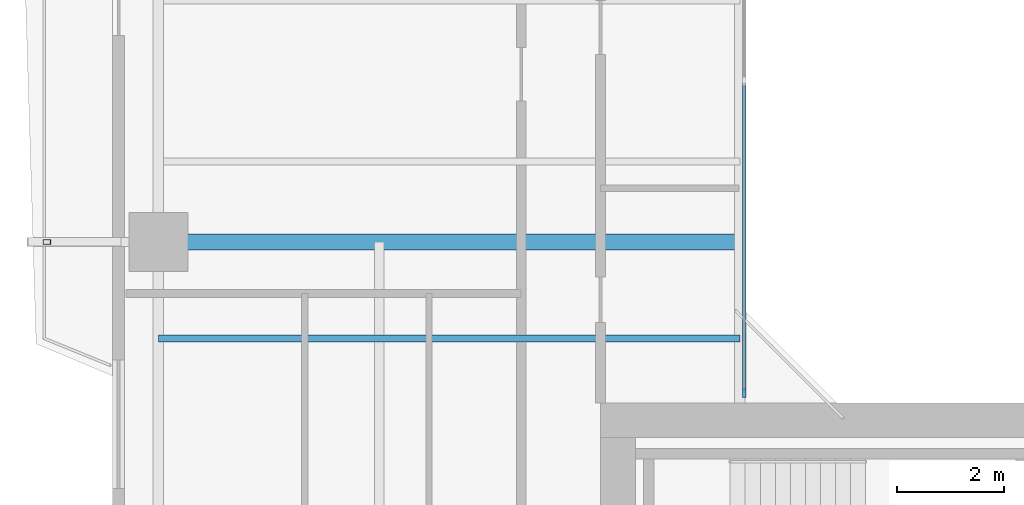
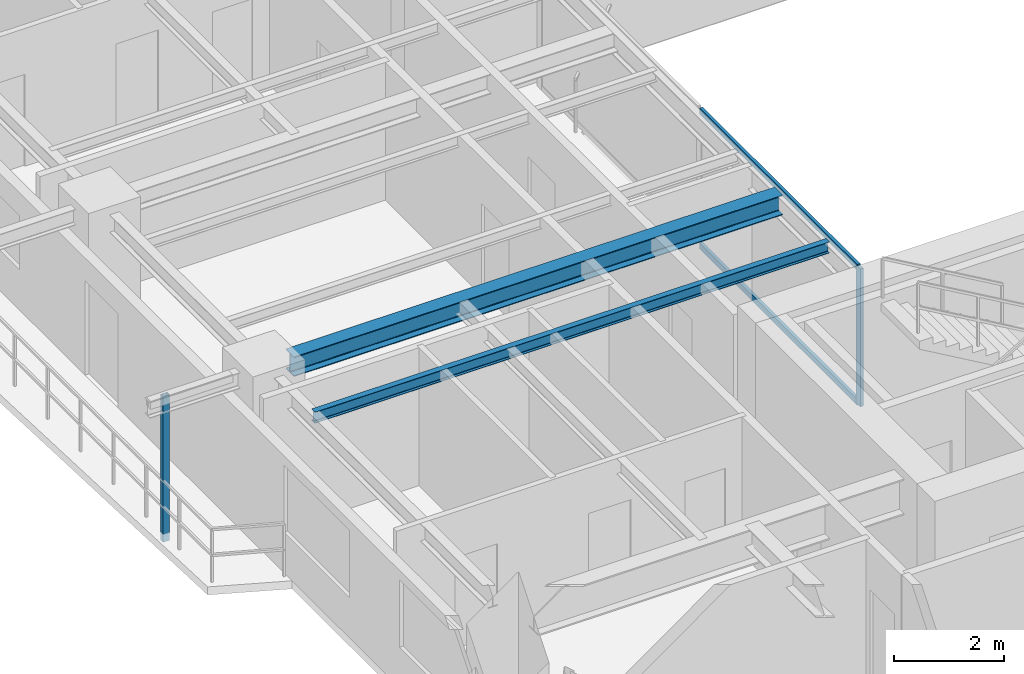
# One storey, part 3 of 17: 4 members, 2 beams, 1 element without a shape of its own.
"""IFC4 building model written with IfcOpenShell, lengths in metres."""

from ifc_helpers import new_model, si_unit, direction, frame, origin, origin_2d, place, context, subcontext, project, spatial, rectangle, hollow_rectangle, i_section, extrude, source, transform, mapped, material, layer, layer_set, material_profile, profile_set, type_object, element, aggregate, save


model = new_model("IFC4")

# Units and contexts
model_context = context("Model", 3, precision=1e-05, world=origin(), true_north=direction((0.0, 1.0)))
body_context = subcontext(model_context, "Body", "Model", "MODEL_VIEW")
ifc_project = project(units=[si_unit("LENGTHUNIT", "METRE"), si_unit("AREAUNIT", "SQUARE_METRE"), si_unit("VOLUMEUNIT", "CUBIC_METRE"), si_unit("PLANEANGLEUNIT", "RADIAN"), si_unit("MASSUNIT", "GRAM", prefix="KILO"), si_unit("THERMODYNAMICTEMPERATUREUNIT", "KELVIN"), si_unit("POWERUNIT", "WATT")], contexts=[model_context])

# Site, building, storey
site_placement = place(None, origin())
site = spatial("IfcSite", under=ifc_project, at=site_placement, CompositionType="ELEMENT")
building_placement = place(site_placement, origin())
building = spatial("IfcBuilding", under=site, at=building_placement, Name="Qiaomeng Ring Towers", CompositionType="ELEMENT")
storey_placement = place(building_placement, frame((0.0, 0.0, 126.25)))
storey = spatial("IfcBuildingStorey", under=building, at=storey_placement, Name="L36", CompositionType="ELEMENT", Elevation=126.25)

# Beams
ifc_material_1 = material(Name="Steel Q355B", Category="steel")
ifc_material_profile_1 = material_profile(ifc_material_1, i_section(OverallWidth=0.300048828125, OverallDepth=0.43994140625, WebThickness=0.010986328125, FlangeThickness=0.01806640625, FilletRadius=0.02392578125, at=origin_2d()), Name="HM 440x300x11x18")
ifc_profile_set_1 = profile_set([ifc_material_profile_1], Name="Steel Q355B")
beam_type_1 = type_object("IfcBeamType", Name="STR-BM-HM440", PredefinedType="BEAM", material=ifc_profile_set_1)
shared_shape_1 = source(origin(), body_context, "Body", "SweptSolid", [
    extrude(i_section(OverallWidth=0.300048828125, OverallDepth=0.43994140625, WebThickness=0.010986328125, FlangeThickness=0.01806640625, FilletRadius=0.02392578125, at=origin_2d()), origin(), (0.0, 0.0, 1.0), 10.301025390625),
])
beam_1_placement = place(storey_placement, frame((2.4990234375, 20.0, 2.85009765625), z_axis=(1.0, 0.0, 0.0), x_axis=(0.0, 1.0, 0.0)))
element("IfcBeam", 1, at=beam_1_placement, inside=storey, type_object=beam_type_1, Name="L36 beam STR-BM-L36-T1-RAD-W2", PredefinedType="BEAM", context=body_context, shape_type="MappedRepresentation", body=[
    mapped(shared_shape_1, transform((0.0, 0.0, 0.0), x_axis=(1.0, 0.0, 0.0), y_axis=(0.0, 1.0, 0.0), z_axis=(0.0, 0.0, 1.0), scale=1.0)),
])
ifc_material_profile_2 = material_profile(ifc_material_1, i_section(OverallWidth=0.125, OverallDepth=0.25, WebThickness=0.006103515625, FlangeThickness=0.009033203125, FilletRadius=0.011962890625, at=origin_2d()), Name="HN 250x125x6x9")
ifc_profile_set_2 = profile_set([ifc_material_profile_2], Name="Steel Q355B")
beam_type_2 = type_object("IfcBeamType", Name="STR-BM-HN250", PredefinedType="JOIST", material=ifc_profile_set_2)
shared_shape_2 = source(origin(), body_context, "Body", "SweptSolid", [
    extrude(i_section(OverallWidth=0.125, OverallDepth=0.25, WebThickness=0.006103515625, FlangeThickness=0.009033203125, FilletRadius=0.011962890625, at=origin_2d()), origin(), (0.0, 0.0, 1.0), 10.85009765625),
])
beam_2_placement = place(storey_placement, frame((1.949951171875, 18.199951171875, 2.945068359375), z_axis=(1.0, 0.0, 0.0), x_axis=(0.0, 1.0, 0.0)))
element("IfcBeam", 2, at=beam_2_placement, inside=storey, type_object=beam_type_2, Name="L36 beam STR-JST-L36-T1W-1", PredefinedType="JOIST", context=body_context, shape_type="MappedRepresentation", body=[
    mapped(shared_shape_2, transform((0.0, 0.0, 0.0), x_axis=(1.0, 0.0, 0.0), y_axis=(0.0, 1.0, 0.0), z_axis=(0.0, 0.0, 1.0), scale=1.0)),
])

# Curtain wall, members
ifc_material_2 = material(Name="Fluorocarbon dark-grey aluminium", Category="aluminium")
ifc_layer = layer(ifc_material_2, 0.139892578125, Name="Fluorocarbon dark-grey aluminium")
ifc_layer_set = layer_set([ifc_layer], Name="Fluorocarbon dark-grey aluminium")
curtain_wall_type = type_object("IfcCurtainWallType", Name="ARC-CW-4", PredefinedType="NOTDEFINED", material=ifc_layer_set)
curtain_wall_placement = place(storey_placement, origin())
curtain_wall = element("IfcCurtainWall", 3, at=curtain_wall_placement, inside=storey, type_object=curtain_wall_type, Name="L36 Curtain Wall CW4", PredefinedType="NOTDEFINED")
ifc_material_profile_3 = material_profile(ifc_material_2, rectangle(XDim=0.06494140625, YDim=0.159912109375, at=origin_2d()), Name="ALU MULL 65x160")
ifc_profile_set_3 = profile_set([ifc_material_profile_3], Name="Fluorocarbon dark-grey aluminium")
member_type_1 = type_object("IfcMemberType", Name="ARC-CWM-140", PredefinedType="MULLION", material=ifc_profile_set_3)
shared_shape_3 = source(origin(), body_context, "Body", "SweptSolid", [
    extrude(rectangle(XDim=0.06494140625, YDim=0.159912109375, at=origin_2d()), origin(), (0.0, 0.0, 1.0), 3.070068359375),
])
member_1_placement = place(storey_placement, frame((12.8798828125, 17.1826171875, 0.0), z_axis=(0.0, 0.0, 1.0), x_axis=(-1.0, 0.0, 0.0)))
member_1 = element("IfcMember", 4, at=member_1_placement, type_object=member_type_1, Name="CW4 mullion 1", PredefinedType="MULLION", context=body_context, shape_type="MappedRepresentation", body=[
    mapped(shared_shape_3, transform((0.0, 0.0, 0.0), x_axis=(1.0, 0.0, 0.0), y_axis=(0.0, 1.0, 0.0), z_axis=(0.0, 0.0, 1.0), scale=1.0)),
])
ifc_material_profile_4 = material_profile(ifc_material_2, rectangle(XDim=0.06494140625, YDim=0.1298828125, at=origin_2d()), Name="ALU TRAN 65x130")
ifc_profile_set_4 = profile_set([ifc_material_profile_4], Name="Fluorocarbon dark-grey aluminium")
member_type_2 = type_object("IfcMemberType", Name="ARC-CWT-120", PredefinedType="USERDEFINED", material=ifc_profile_set_4)
shared_shape_4 = source(origin(), body_context, "Body", "SweptSolid", [
    extrude(rectangle(XDim=0.06494140625, YDim=0.1298828125, at=origin_2d()), origin(), (0.0, 0.0, 1.0), 5.75244140625),
])
member_2_placement = place(storey_placement, frame((12.8798828125, 17.215087890625, 0.032470703125), z_axis=(0.0, 1.0, 0.0), x_axis=(-1.0, 0.0, 0.0)))
member_2 = element("IfcMember", 5, at=member_2_placement, type_object=member_type_2, Name="CW4 transom 1.1", ObjectType="TRANSOM", PredefinedType="USERDEFINED", context=body_context, shape_type="MappedRepresentation", body=[
    mapped(shared_shape_4, transform((0.0, 0.0, 0.0), x_axis=(1.0, 0.0, 0.0), y_axis=(0.0, 1.0, 0.0), z_axis=(0.0, 0.0, 1.0), scale=1.0)),
])
member_3_placement = place(storey_placement, frame((12.8798828125, 17.215087890625, 3.03759765625), z_axis=(0.0, 1.0, 0.0), x_axis=(-1.0, 0.0, 0.0)))
member_3 = element("IfcMember", 6, at=member_3_placement, type_object=member_type_2, Name="CW4 transom 1.2", ObjectType="TRANSOM", PredefinedType="USERDEFINED", context=body_context, shape_type="MappedRepresentation", body=[
    mapped(shared_shape_4, transform((0.0, 0.0, 0.0), x_axis=(1.0, 0.0, 0.0), y_axis=(0.0, 1.0, 0.0), z_axis=(0.0, 0.0, 1.0), scale=1.0)),
])
aggregate(curtain_wall, [member_1, member_2, member_3])

# Member
ifc_material_3 = material(Name="Stainless steel 316", Category="steel")
ifc_material_profile_5 = material_profile(ifc_material_3, hollow_rectangle(XDim=0.090087890625, YDim=0.139892578125, WallThickness=0.0048828125, at=origin_2d()), Name="SS TRELLIS 90x140")
ifc_profile_set_5 = profile_set([ifc_material_profile_5], Name="Stainless steel 316")
member_type_3 = type_object("IfcMemberType", Name="ARC-TR-POST1", PredefinedType="STUD", material=ifc_profile_set_5)
shared_shape_5 = source(origin(), body_context, "Body", "SweptSolid", [
    extrude(hollow_rectangle(XDim=0.090087890625, YDim=0.139892578125, WallThickness=0.0048828125, at=origin_2d()), origin(), (0.0, 0.0, 1.0), 3.25),
])
member_4_placement = place(storey_placement, frame((-0.1298828125, 20.0, -0.179931640625), z_axis=(0.0, 0.0, 1.0), x_axis=(0.0, 1.0, 0.0)))
element("IfcMember", 7, at=member_4_placement, inside=storey, type_object=member_type_3, Name="L36 Outer Ventilated Trellis Post W", PredefinedType="STUD", context=body_context, shape_type="MappedRepresentation", body=[
    mapped(shared_shape_5, transform((0.0, 0.0, 0.0), x_axis=(1.0, 0.0, 0.0), y_axis=(0.0, 1.0, 0.0), z_axis=(0.0, 0.0, 1.0), scale=1.0)),
])

save(model, "model.ifc")
